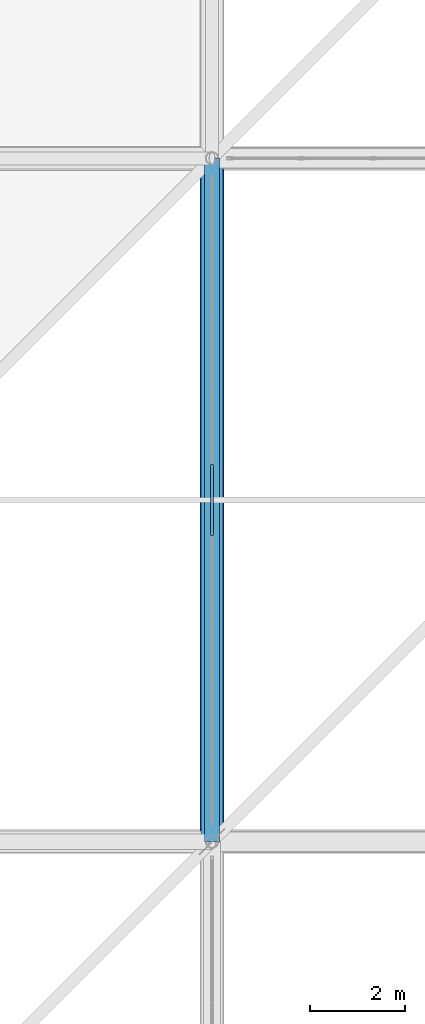
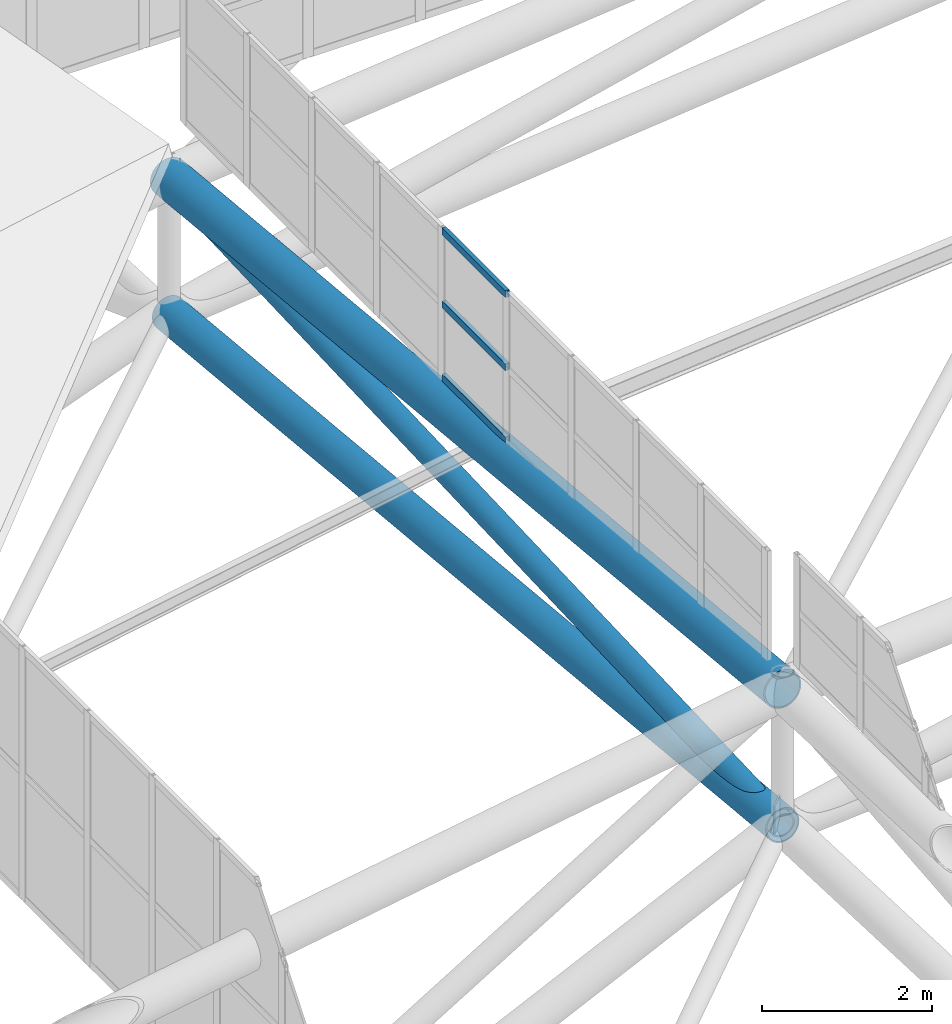
# One storey, part 202 of 397: 4 members, 2 beams, 1 element without a shape of its own.
"""IFC4 building model written with IfcOpenShell, lengths in metres."""

import ifcopenshell
import ifcopenshell.guid

model = None  # the IFC model being written
_history = None  # IfcOwnerHistory: only IFC2X3 demands one
_inside = {}  # id of a spatial element -> (the spatial element, [elements in it])
_under = {}  # id of a project, library or spatial element -> (it, [spatial elements below it])
_declared = {}  # id of a project -> (the project, [libraries it declares])
_typed = {}  # id of a type object -> (the type object, [elements of that type])
_made_of = {}  # id of a material, layer set ... -> (it, [elements and type objects made of it])


def new_model(schema):
    """Start an empty IFC model of exactly this schema.

    Asked for "IFC4X3", IfcOpenShell would pick the latest addendum, in which some entities
    have other attributes; the version numbers below select the first issue.
    IFC2X3 requires an IfcOwnerHistory on every rooted entity: one is made here for all.
    """
    global model, _history
    if schema == "IFC4X3":
        model = ifcopenshell.file(schema_version=(4, 3, 0, 0))
    else:
        model = ifcopenshell.file(schema=schema)
    _inside.clear()
    _under.clear()
    _declared.clear()
    _typed.clear()
    _made_of.clear()
    _history = None
    if model.schema == "IFC2X3":
        org = make("IfcOrganization", Name="unknown")
        user = make(
            "IfcPersonAndOrganization",
            ThePerson=make("IfcPerson", FamilyName="unknown"),
            TheOrganization=org,
        )
        app = make(
            "IfcApplication",
            ApplicationDeveloper=org,
            Version="unknown",
            ApplicationFullName="unknown",
            ApplicationIdentifier="unknown",
        )
        _history = make(
            "IfcOwnerHistory",
            OwningUser=user,
            OwningApplication=app,
            ChangeAction="ADDED",
            CreationDate=0,
        )
    return model


def make(cls, **values):
    """One entity of the class cls with the attributes given. An attribute that is None is left unset."""
    return model.create_entity(
        cls, **{name: value for name, value in values.items() if value is not None}
    )


def rooted(cls, **values):
    """An entity with a GlobalId (a new one), such as an element, a storey or a relation."""
    return make(cls, GlobalId=ifcopenshell.guid.new(), OwnerHistory=_history, **values)


def si_unit(unit_type, name, prefix=None):
    """IfcSIUnit, for example si_unit("LENGTHUNIT", "METRE", prefix="MILLI")."""
    return make("IfcSIUnit", UnitType=unit_type, Prefix=prefix, Name=name)


def assignment(units):
    """IfcUnitAssignment: the units of a project."""
    return None if units is None else make("IfcUnitAssignment", Units=units)


def point(xyz):
    """IfcCartesianPoint."""
    return None if xyz is None else make("IfcCartesianPoint", Coordinates=xyz)


def direction(xyz):
    """IfcDirection."""
    return None if xyz is None else make("IfcDirection", DirectionRatios=xyz)


def frame(location, z_axis=None, x_axis=None):
    """IfcAxis2Placement3D, a coordinate frame: its origin and axes. An axis left out is left unset."""
    return make(
        "IfcAxis2Placement3D",
        Location=point(location),
        Axis=direction(z_axis),
        RefDirection=direction(x_axis),
    )


def frame_2d(location, x_axis=None):
    """IfcAxis2Placement2D, a coordinate frame in the plane: its origin and x axis."""
    return make(
        "IfcAxis2Placement2D", Location=point(location), RefDirection=direction(x_axis)
    )


def origin():
    """The frame at (0, 0, 0) with its axes left unset."""
    return frame((0.0, 0.0, 0.0))


def origin_2d():
    """The frame at (0, 0) in the plane with its x axis left unset."""
    return frame_2d((0.0, 0.0))


def place(relative_to, where):
    """IfcLocalPlacement: puts the frame where relative to a parent placement (None: the world)."""
    return make(
        "IfcLocalPlacement", PlacementRelTo=relative_to, RelativePlacement=where
    )


def context(
    kind, dimensions, precision=None, world=None, true_north=None, identifier=None
):
    """IfcGeometricRepresentationContext, for example the 3D "Model" context."""
    return make(
        "IfcGeometricRepresentationContext",
        ContextIdentifier=identifier,
        ContextType=kind,
        CoordinateSpaceDimension=dimensions,
        Precision=precision,
        WorldCoordinateSystem=world,
        TrueNorth=true_north,
    )


def subcontext(parent, identifier, kind, view, scale=None):
    """IfcGeometricRepresentationSubContext, for example "Body" below "Model"."""
    return make(
        "IfcGeometricRepresentationSubContext",
        ContextIdentifier=identifier,
        ContextType=kind,
        ParentContext=parent,
        TargetScale=scale,
        TargetView=view,
    )


def project(units=None, contexts=None):
    """IfcProject with its units and contexts."""
    return rooted(
        "IfcProject",
        Name="project",
        RepresentationContexts=contexts,
        UnitsInContext=assignment(units),
    )


def spatial(cls, under=None, at=None, **own):
    """A site, building, storey or space (cls), placed at a placement, below another one or the project."""
    s = rooted(cls, ObjectPlacement=at, **own)
    if under is not None:
        _under.setdefault(under.id(), (under, []))[1].append(s)
    return s


def profile(cls, at=None, kind="AREA", **sizes):
    """A parametric profile (cls). Its sizes go by their IFC names, for example OverallWidth=200.0."""
    return make(cls, ProfileType=kind, Position=at, **sizes)


def hollow_rectangle(**sizes):
    """IfcRectangleHollowProfileDef."""
    return profile("IfcRectangleHollowProfileDef", **sizes)


def hollow_circle(**sizes):
    """IfcCircleHollowProfileDef."""
    return profile("IfcCircleHollowProfileDef", **sizes)


def extrude(swept, where, along, depth):
    """IfcExtrudedAreaSolid: the profile swept, set in the frame where, extruded along a direction by depth."""
    return make(
        "IfcExtrudedAreaSolid",
        SweptArea=swept,
        Position=where,
        ExtrudedDirection=direction(along),
        Depth=depth,
    )


def shape(context_of_items, identifier, shape_type, items):
    """IfcShapeRepresentation: the items that make up one representation, for example the "Body"."""
    return make(
        "IfcShapeRepresentation",
        ContextOfItems=context_of_items,
        RepresentationIdentifier=identifier,
        RepresentationType=shape_type,
        Items=items,
    )


def material(Name=None, Category=None):
    """IfcMaterial."""
    return make("IfcMaterial", Name=Name, Category=Category)


def material_profile(
    of_material, cross_section, Name=None, Category=None, Priority=None
):
    """IfcMaterialProfile: a cross section and its material."""
    return make(
        "IfcMaterialProfile",
        Name=Name,
        Material=of_material,
        Profile=cross_section,
        Priority=Priority,
        Category=Category,
    )


def profile_set(profiles, Name=None, composite=None):
    """IfcMaterialProfileSet."""
    return make(
        "IfcMaterialProfileSet",
        Name=Name,
        MaterialProfiles=profiles,
        CompositeProfile=composite,
    )


def made_of(thing, what):
    """Note that an element or type object is made of a material, layer set ...; save() writes the relation."""
    if what is not None:
        _made_of.setdefault(what.id(), (what, []))[1].append(thing)
    return thing


def type_object(cls, material=None, **own):
    """A type object (cls), such as IfcWallType, which elements share."""
    return made_of(rooted(cls, **own), material)


def element(
    cls,
    number,
    at=None,
    inside=None,
    cuts=None,
    type_object=None,
    material=None,
    context=None,
    identifier="Body",
    shape_type=None,
    held_by="IfcProductDefinitionShape",
    body=None,
    shapes=None,
    **own,
):
    """One element of the class cls, such as IfcWall. Its Tag is "e" and its number.

    at: its placement. inside: the storey or other place that contains it. cuts: it is an
    opening in that element (IfcRelVoidsElement). A single representation is given by context,
    identifier, shape_type and body (its items); several are given by shapes. held_by: the class
    of the entity that holds the representations. save() writes the other relations.
    """
    e = rooted(cls, Tag="e%d" % number, ObjectPlacement=at, **own)
    if body is not None:
        shapes = [shape(context, identifier, shape_type, body)]
    if shapes is not None:
        e.Representation = make(held_by, Representations=shapes)
    if inside is not None:
        _inside.setdefault(inside.id(), (inside, []))[1].append(e)
    if cuts is not None:
        rooted(
            "IfcRelVoidsElement", RelatingBuildingElement=cuts, RelatedOpeningElement=e
        )
    if type_object is not None:
        _typed.setdefault(type_object.id(), (type_object, []))[1].append(e)
    return made_of(e, material)


def aggregate(whole, parts):
    """IfcRelAggregates: a whole, such as a stair, and the parts it consists of."""
    return rooted("IfcRelAggregates", RelatingObject=whole, RelatedObjects=parts)


def save(model, path):
    """Write the relations noted so far, then the file.

    IfcRelAggregates (storeys below a building ...), IfcRelContainedInSpatialStructure (elements
    in a storey), IfcRelDefinesByType, IfcRelAssociatesMaterial and IfcRelDeclares: one each for
    every whole, place, type object, material and project.
    """
    for whole, parts in _under.values():
        aggregate(whole, parts)
    for where, things in _inside.values():
        rooted(
            "IfcRelContainedInSpatialStructure",
            RelatedElements=things,
            RelatingStructure=where,
        )
    for kind, things in _typed.values():
        rooted("IfcRelDefinesByType", RelatedObjects=things, RelatingType=kind)
    for what, things in _made_of.values():
        rooted("IfcRelAssociatesMaterial", RelatedObjects=things, RelatingMaterial=what)
    for by, libraries in _declared.values():
        rooted("IfcRelDeclares", RelatingContext=by, RelatedDefinitions=libraries)
    model.write(path)


model = new_model("IFC4")

# Units and contexts
model_context = context("Model", 3, precision=1e-05, world=origin(), true_north=direction((0.0, 1.0)))
body_context = subcontext(model_context, "Body", "Model", "MODEL_VIEW")
ifc_project = project(units=[si_unit("LENGTHUNIT", "METRE"), si_unit("AREAUNIT", "SQUARE_METRE"), si_unit("VOLUMEUNIT", "CUBIC_METRE"), si_unit("PLANEANGLEUNIT", "RADIAN"), si_unit("MASSUNIT", "GRAM", prefix="KILO")], contexts=[model_context])

# Site, building, storey
site_placement = place(None, origin())
site = spatial("IfcSite", under=ifc_project, at=site_placement, CompositionType="ELEMENT")
building_placement = place(site_placement, origin())
building = spatial("IfcBuilding", under=site, at=building_placement, Name="Qandorah Velis Arena", CompositionType="ELEMENT")
storey_placement = place(building_placement, frame((0.0, 0.0, 27.5)))
storey = spatial("IfcBuildingStorey", under=building, at=storey_placement, Name="RF", CompositionType="ELEMENT", Elevation=27.5)

# Curtain wall, members
ifc_material_1 = material(Name="Solar-control low-E double glazing", Category="glass")
curtain_wall_type = type_object("IfcCurtainWallType", Name="ARC-CW-SYS10", PredefinedType="USERDEFINED", material=ifc_material_1)
curtain_wall_placement = place(storey_placement, origin())
curtain_wall = element("IfcCurtainWall", 1, at=curtain_wall_placement, inside=storey, type_object=curtain_wall_type, Name="Unitised curtain wall OCULUS-1-5", ObjectType="UNITISED CURTAIN WALL", PredefinedType="USERDEFINED")
ifc_material_2 = material(Name="Champagne-bronze anodized aluminium 6063-T6", Category="aluminium")
ifc_material_profile_1 = material_profile(ifc_material_2, hollow_rectangle(XDim=0.054931640625, YDim=0.10009765625, WallThickness=0.0029296875, at=origin_2d()), Name="ALU TRANSOM 55x100")
ifc_profile_set_1 = profile_set([ifc_material_profile_1], Name="Champagne-bronze anodized aluminium 6063-T6")
member_type_1 = type_object("IfcMemberType", Name="ARC-CWT-100", PredefinedType="USERDEFINED", material=ifc_profile_set_1)
member_1_placement = place(storey_placement, frame((28.800048828125, 92.8544921875, 8.513427734375), z_axis=(0.0, 1.0, 0.0), x_axis=(-1.0, 0.0, 0.0)))
member_1 = element("IfcMember", 2, at=member_1_placement, type_object=member_type_1, Name="CW10 transom 5.1", ObjectType="TRANSOM", PredefinedType="USERDEFINED", context=body_context, shape_type="SweptSolid", body=[
    extrude(hollow_rectangle(XDim=0.054931640625, YDim=0.10009765625, WallThickness=0.0029296875, at=origin_2d()), origin(), (0.0, 0.0, 1.0), 1.4912109375),
])
member_2_placement = place(storey_placement, frame((28.800048828125, 92.8544921875, 9.56103515625), z_axis=(0.0, 1.0, 0.0), x_axis=(-1.0, 0.0, 0.0)))
member_2 = element("IfcMember", 3, at=member_2_placement, type_object=member_type_1, Name="CW10 transom 5.2", ObjectType="TRANSOM", PredefinedType="USERDEFINED", context=body_context, shape_type="SweptSolid", body=[
    extrude(hollow_rectangle(XDim=0.054931640625, YDim=0.10009765625, WallThickness=0.0029296875, at=origin_2d()), origin(), (0.0, 0.0, 1.0), 1.4912109375),
])
member_3_placement = place(storey_placement, frame((28.800048828125, 92.8544921875, 10.6083984375), z_axis=(0.0, 1.0, 0.0), x_axis=(-1.0, 0.0, 0.0)))
member_3 = element("IfcMember", 4, at=member_3_placement, type_object=member_type_1, Name="CW10 transom 5.3", ObjectType="TRANSOM", PredefinedType="USERDEFINED", context=body_context, shape_type="SweptSolid", body=[
    extrude(hollow_rectangle(XDim=0.054931640625, YDim=0.10009765625, WallThickness=0.0029296875, at=origin_2d()), origin(), (0.0, 0.0, 1.0), 1.4912109375),
])
aggregate(curtain_wall, [member_1, member_2, member_3])

# Beams
ifc_material_3 = material(Name="Steel S355", Category="steel")
ifc_material_profile_2 = material_profile(ifc_material_3, hollow_circle(Radius=0.228515625, WallThickness=0.01611328125, at=origin_2d()), Name="CHS 457x16")
ifc_profile_set_2 = profile_set([ifc_material_profile_2], Name="Steel S355")
beam_type_1 = type_object("IfcBeamType", Name="STR-SFC-CHS457X16", PredefinedType="USERDEFINED", material=ifc_profile_set_2)
beam_1_placement = place(storey_placement, frame((28.800048828125, 86.39990234375, 6.90771484375), z_axis=(0.0, 0.995358151916, -0.09624006138), x_axis=(-1.0, 0.0, 0.0)))
element("IfcBeam", 5, at=beam_1_placement, inside=storey, type_object=beam_type_1, Name="Space frame roof truss bottom chord Y 1.5", ObjectType="ROOF TRUSS", PredefinedType="USERDEFINED", context=body_context, shape_type="SweptSolid", body=[
    extrude(hollow_circle(Radius=0.228515625, WallThickness=0.01611328125, at=origin_2d()), origin(), (0.0, 0.0, 1.0), 14.46728515625),
])
ifc_material_profile_3 = material_profile(ifc_material_3, hollow_circle(Radius=0.25390625, WallThickness=0.02001953125, at=origin_2d()), Name="CHS 508x20")
ifc_profile_set_3 = profile_set([ifc_material_profile_3], Name="Steel S355")
beam_type_2 = type_object("IfcBeamType", Name="STR-SFC-CHS508X20", PredefinedType="USERDEFINED", material=ifc_profile_set_3)
beam_2_placement = place(storey_placement, frame((28.800048828125, 86.39990234375, 8.857666015625), z_axis=(0.0, 0.995358151916, -0.09624006138), x_axis=(-1.0, 0.0, 0.0)))
element("IfcBeam", 6, at=beam_2_placement, inside=storey, type_object=beam_type_2, Name="Space frame roof truss top chord Y 1.5", ObjectType="ROOF TRUSS", PredefinedType="USERDEFINED", context=body_context, shape_type="SweptSolid", body=[
    extrude(hollow_circle(Radius=0.25390625, WallThickness=0.02001953125, at=origin_2d()), origin(), (0.0, 0.0, 1.0), 14.46728515625),
])

# Member
ifc_material_profile_4 = material_profile(ifc_material_3, hollow_circle(Radius=0.161865234375, WallThickness=0.01611328125, at=origin_2d()), Name="CHS 323.9x16")
ifc_profile_set_4 = profile_set([ifc_material_profile_4], Name="Steel S355")
member_type_2 = type_object("IfcMemberType", Name="STR-SFD-CHS323X16", PredefinedType="CHORD", material=ifc_profile_set_4)
member_4_placement = place(storey_placement, frame((28.800048828125, 86.39990234375, 6.90771484375), z_axis=(0.0, 0.999251105892, 0.038694022445), x_axis=(-1.0, 0.0, 0.0)))
element("IfcMember", 7, at=member_4_placement, inside=storey, type_object=member_type_2, Name="Space frame roof diagonal Y 1.5", PredefinedType="CHORD", context=body_context, shape_type="SweptSolid", body=[
    extrude(hollow_circle(Radius=0.161865234375, WallThickness=0.01611328125, at=origin_2d()), origin(), (0.0, 0.0, 1.0), 14.410888671875),
])

save(model, "model.ifc")
